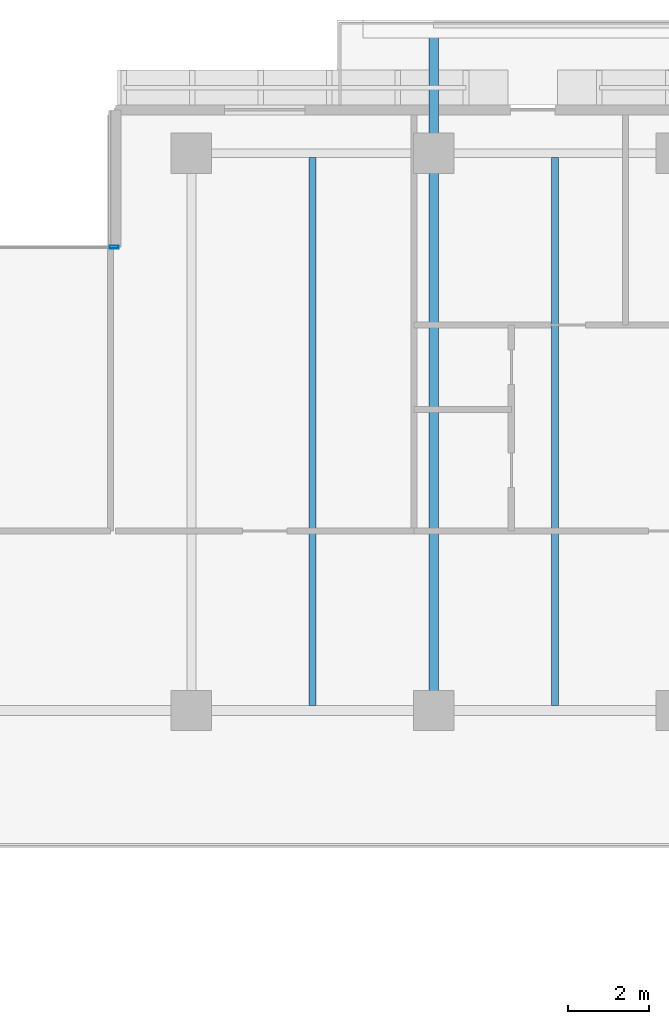
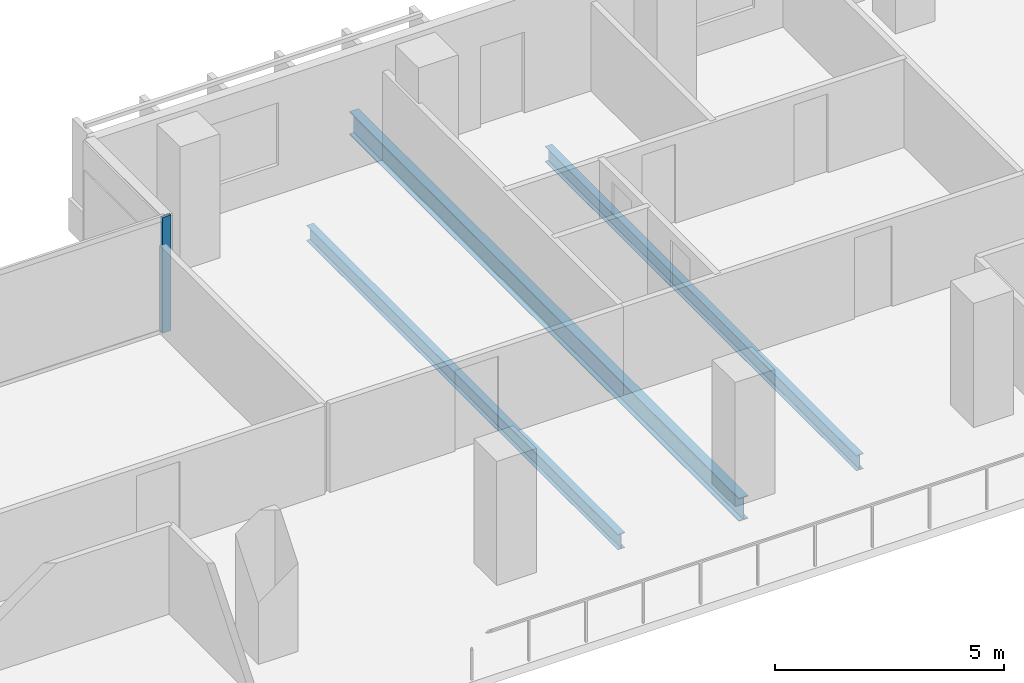
# One storey, part 13 of 33: 3 beams, 1 member, 1 element without a shape of its own.
"""IFC4 building model written with IfcOpenShell, lengths in metres."""

from ifc_helpers import new_model, si_unit, direction, frame, origin, origin_2d, place, context, subcontext, project, spatial, hollow_rectangle, i_section, extrude, material, layer, layer_set, material_profile, profile_set, type_object, element, aggregate, save


model = new_model("IFC4")

# Units and contexts
model_context = context("Model", 3, precision=1e-05, world=origin(), true_north=direction((0.0, 1.0)))
body_context = subcontext(model_context, "Body", "Model", "MODEL_VIEW")
ifc_project = project(units=[si_unit("LENGTHUNIT", "METRE"), si_unit("AREAUNIT", "SQUARE_METRE"), si_unit("VOLUMEUNIT", "CUBIC_METRE"), si_unit("PLANEANGLEUNIT", "RADIAN"), si_unit("MASSUNIT", "GRAM", prefix="KILO")], contexts=[model_context])

# Site, building, storey
site_placement = place(None, origin())
site = spatial("IfcSite", under=ifc_project, at=site_placement, CompositionType="ELEMENT")
building_placement = place(site_placement, origin())
building = spatial("IfcBuilding", under=site, at=building_placement, Name="Tanjung Sevakor Pilgrim Tower", CompositionType="ELEMENT")
storey_placement = place(building_placement, frame((0.0, 0.0, 95.3701171875)))
storey = spatial("IfcBuildingStorey", under=building, at=storey_placement, Name="L26", CompositionType="ELEMENT", Elevation=95.3701171875)

# Beams
ifc_material_1 = material(Name="Steel S355J2", Category="steel")
ifc_material_profile_1 = material_profile(ifc_material_1, i_section(OverallWidth=0.230224609375, OverallDepth=0.6171875, WebThickness=0.01318359375, FlangeThickness=0.022216796875, FilletRadius=0.0126953125, at=origin_2d()))
ifc_profile_set_1 = profile_set([ifc_material_profile_1], Name="Steel S355J2")
beam_type_1 = type_object("IfcBeamType", Name="BM-B-G3-UB_610x229x140", PredefinedType="BEAM", material=ifc_profile_set_1)
beam_placement = place(storey_placement, frame((60.0, 42.60009765625, -0.52880859375), z_axis=(0.0, 1.0, 0.0), x_axis=(-1.0, 0.0, 0.0)))
element("IfcBeam", 1, at=beam_placement, inside=storey, type_object=beam_type_1, Name="L26 Balcony Cantilever Beam MAIN-N2-1", PredefinedType="BEAM", context=body_context, shape_type="SweptSolid", body=[
    extrude(i_section(OverallWidth=0.230224609375, OverallDepth=0.6171875, WebThickness=0.01318359375, FlangeThickness=0.022216796875, FilletRadius=0.0126953125, at=origin_2d()), origin(), (0.0, 0.0, 1.0), 16.97998046875),
])
ifc_material_2 = material(Name="Steel S355J2", Category="steel")
ifc_material_profile_2 = material_profile(ifc_material_2, i_section(OverallWidth=0.1787109375, OverallDepth=0.409423828125, WebThickness=0.0087890625, FlangeThickness=0.014404296875, FilletRadius=0.01025390625, at=origin_2d()))
ifc_profile_set_2 = profile_set([ifc_material_profile_2], Name="Steel S355J2")
beam_type_2 = type_object("IfcBeamType", Name="BM-B-J3-UB_406x178x67", PredefinedType="JOIST", material=ifc_profile_set_2)
for number, where, z_axis, x_axis, name in (
    (2, (57.0, 42.727294921875, -0.4248046875), (0.0, 1.0, 0.0), (-1.0, 0.0, 0.0), "L26 MAIN Joist 015"),
    (3, (63.0, 42.727294921875, -0.4248046875), (0.0, 1.0, 0.0), (-1.0, 0.0, 0.0), "L26 MAIN Joist 017"),
):
    element("IfcBeam", number, at=place(storey_placement, frame(where, z_axis=z_axis, x_axis=x_axis)), inside=storey, type_object=beam_type_2, Name=name, PredefinedType="JOIST", context=body_context, shape_type="SweptSolid", body=[
        extrude(i_section(OverallWidth=0.1787109375, OverallDepth=0.409423828125, WebThickness=0.0087890625, FlangeThickness=0.014404296875, FilletRadius=0.01025390625, at=origin_2d()), origin(), (0.0, 0.0, 1.0), 13.57275390625),
    ])

# Curtain wall, member
ifc_material_3 = material(Name="Aluminium 6063-T6 and Low-E Glass", Category="aluminium")
ifc_layer = layer(ifc_material_3, 0.179931640625)
ifc_layer_set = layer_set([ifc_layer], Name="CW-SYS-CLEFT")
curtain_wall_type = type_object("IfcCurtainWallType", Name="CW-SYS-CLEFT", PredefinedType="NOTDEFINED", material=ifc_layer_set)
curtain_wall_placement = place(storey_placement, origin())
curtain_wall = element("IfcCurtainWall", 4, at=curtain_wall_placement, inside=storey, type_object=curtain_wall_type, Name="L26 Curtain Wall CW-CLF-L26-10", PredefinedType="NOTDEFINED")
ifc_material_4 = material(Name="Aluminium 6063-T6", Category="aluminium")
ifc_material_profile_3 = material_profile(ifc_material_4, hollow_rectangle(XDim=0.074951171875, YDim=0.219970703125, WallThickness=0.0048828125, at=origin_2d()))
ifc_profile_set_3 = profile_set([ifc_material_profile_3], Name="Aluminium 6063-T6")
member_type = type_object("IfcMemberType", Name="TYPE-CWM-2", PredefinedType="MULLION", material=ifc_profile_set_3)
member_placement = place(storey_placement, frame((52.08740234375, 54.074951171875, 0.0), z_axis=(0.0, 0.0, 1.0), x_axis=(0.0, -1.0, 0.0)))
member = element("IfcMember", 5, at=member_placement, type_object=member_type, Name="CW-CLF mullion 1", PredefinedType="MULLION", context=body_context, shape_type="SweptSolid", body=[
    extrude(hollow_rectangle(XDim=0.074951171875, YDim=0.219970703125, WallThickness=0.0048828125, at=origin_2d()), origin(), (0.0, 0.0, 1.0), 3.079833984375),
])
aggregate(curtain_wall, [member])

save(model, "model.ifc")
